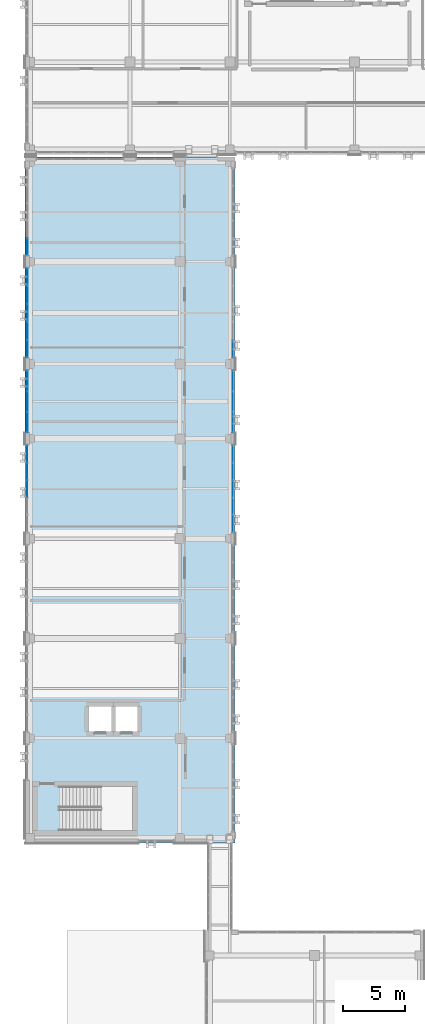
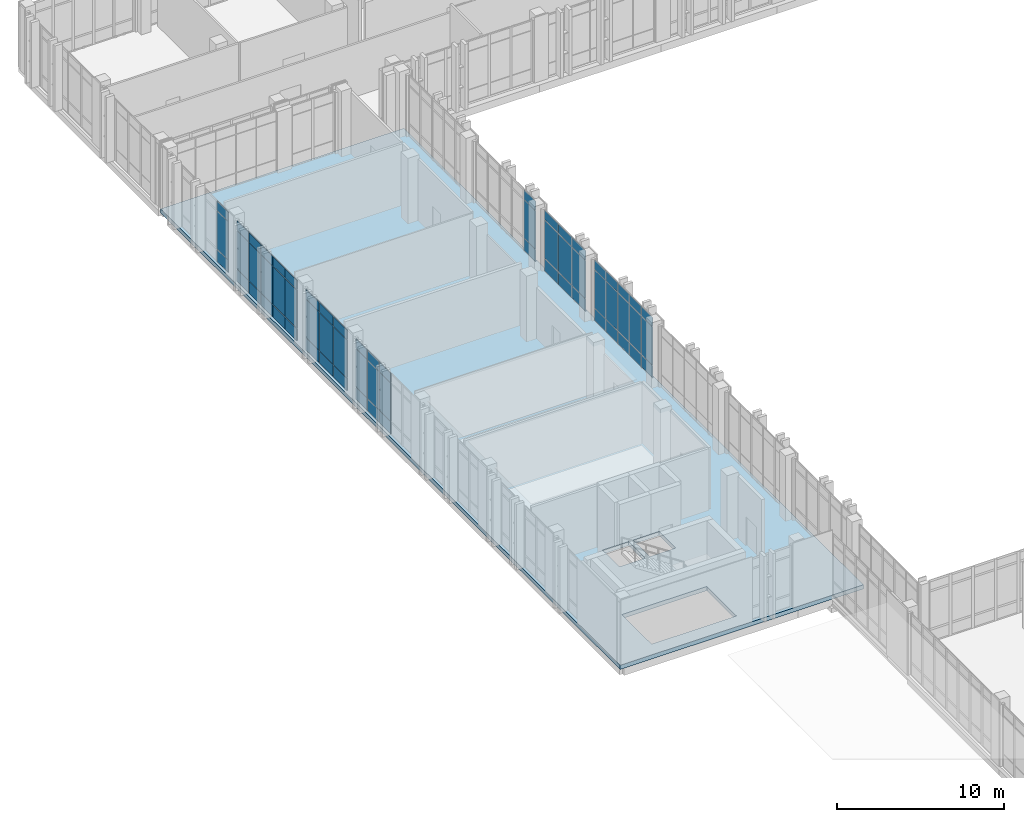
# One storey, part 140 of 189: 63 plates, 1 slab, 7 elements without a shape of their own.
"""IFC4 building model written with IfcOpenShell, lengths in metres."""

import ifcopenshell
import ifcopenshell.guid

model = None  # the IFC model being written
_history = None  # IfcOwnerHistory: only IFC2X3 demands one
_inside = {}  # id of a spatial element -> (the spatial element, [elements in it])
_under = {}  # id of a project, library or spatial element -> (it, [spatial elements below it])
_declared = {}  # id of a project -> (the project, [libraries it declares])
_typed = {}  # id of a type object -> (the type object, [elements of that type])
_made_of = {}  # id of a material, layer set ... -> (it, [elements and type objects made of it])


def new_model(schema):
    """Start an empty IFC model of exactly this schema.

    Asked for "IFC4X3", IfcOpenShell would pick the latest addendum, in which some entities
    have other attributes; the version numbers below select the first issue.
    IFC2X3 requires an IfcOwnerHistory on every rooted entity: one is made here for all.
    """
    global model, _history
    if schema == "IFC4X3":
        model = ifcopenshell.file(schema_version=(4, 3, 0, 0))
    else:
        model = ifcopenshell.file(schema=schema)
    _inside.clear()
    _under.clear()
    _declared.clear()
    _typed.clear()
    _made_of.clear()
    _history = None
    if model.schema == "IFC2X3":
        org = make("IfcOrganization", Name="unknown")
        user = make(
            "IfcPersonAndOrganization",
            ThePerson=make("IfcPerson", FamilyName="unknown"),
            TheOrganization=org,
        )
        app = make(
            "IfcApplication",
            ApplicationDeveloper=org,
            Version="unknown",
            ApplicationFullName="unknown",
            ApplicationIdentifier="unknown",
        )
        _history = make(
            "IfcOwnerHistory",
            OwningUser=user,
            OwningApplication=app,
            ChangeAction="ADDED",
            CreationDate=0,
        )
    return model


def make(cls, **values):
    """One entity of the class cls with the attributes given. An attribute that is None is left unset."""
    return model.create_entity(
        cls, **{name: value for name, value in values.items() if value is not None}
    )


def rooted(cls, **values):
    """An entity with a GlobalId (a new one), such as an element, a storey or a relation."""
    return make(cls, GlobalId=ifcopenshell.guid.new(), OwnerHistory=_history, **values)


def si_unit(unit_type, name, prefix=None):
    """IfcSIUnit, for example si_unit("LENGTHUNIT", "METRE", prefix="MILLI")."""
    return make("IfcSIUnit", UnitType=unit_type, Prefix=prefix, Name=name)


def assignment(units):
    """IfcUnitAssignment: the units of a project."""
    return None if units is None else make("IfcUnitAssignment", Units=units)


def point(xyz):
    """IfcCartesianPoint."""
    return None if xyz is None else make("IfcCartesianPoint", Coordinates=xyz)


def direction(xyz):
    """IfcDirection."""
    return None if xyz is None else make("IfcDirection", DirectionRatios=xyz)


def frame(location, z_axis=None, x_axis=None):
    """IfcAxis2Placement3D, a coordinate frame: its origin and axes. An axis left out is left unset."""
    return make(
        "IfcAxis2Placement3D",
        Location=point(location),
        Axis=direction(z_axis),
        RefDirection=direction(x_axis),
    )


def frame_2d(location, x_axis=None):
    """IfcAxis2Placement2D, a coordinate frame in the plane: its origin and x axis."""
    return make(
        "IfcAxis2Placement2D", Location=point(location), RefDirection=direction(x_axis)
    )


def origin():
    """The frame at (0, 0, 0) with its axes left unset."""
    return frame((0.0, 0.0, 0.0))


def origin_2d():
    """The frame at (0, 0) in the plane with its x axis left unset."""
    return frame_2d((0.0, 0.0))


def place(relative_to, where):
    """IfcLocalPlacement: puts the frame where relative to a parent placement (None: the world)."""
    return make(
        "IfcLocalPlacement", PlacementRelTo=relative_to, RelativePlacement=where
    )


def context(
    kind, dimensions, precision=None, world=None, true_north=None, identifier=None
):
    """IfcGeometricRepresentationContext, for example the 3D "Model" context."""
    return make(
        "IfcGeometricRepresentationContext",
        ContextIdentifier=identifier,
        ContextType=kind,
        CoordinateSpaceDimension=dimensions,
        Precision=precision,
        WorldCoordinateSystem=world,
        TrueNorth=true_north,
    )


def subcontext(parent, identifier, kind, view, scale=None):
    """IfcGeometricRepresentationSubContext, for example "Body" below "Model"."""
    return make(
        "IfcGeometricRepresentationSubContext",
        ContextIdentifier=identifier,
        ContextType=kind,
        ParentContext=parent,
        TargetScale=scale,
        TargetView=view,
    )


def project(units=None, contexts=None):
    """IfcProject with its units and contexts."""
    return rooted(
        "IfcProject",
        Name="project",
        RepresentationContexts=contexts,
        UnitsInContext=assignment(units),
    )


def spatial(cls, under=None, at=None, **own):
    """A site, building, storey or space (cls), placed at a placement, below another one or the project."""
    s = rooted(cls, ObjectPlacement=at, **own)
    if under is not None:
        _under.setdefault(under.id(), (under, []))[1].append(s)
    return s


def polyline(points):
    """IfcPolyline through the points."""
    return make("IfcPolyline", Points=[point(p) for p in points])


def profile(cls, at=None, kind="AREA", **sizes):
    """A parametric profile (cls). Its sizes go by their IFC names, for example OverallWidth=200.0."""
    return make(cls, ProfileType=kind, Position=at, **sizes)


def rectangle(**sizes):
    """IfcRectangleProfileDef."""
    return profile("IfcRectangleProfileDef", **sizes)


def outline(outer, holes=None, kind="AREA"):
    """IfcArbitraryClosedProfileDef: a profile drawn as a closed curve; with holes, ...WithVoids."""
    if holes is None:
        return make("IfcArbitraryClosedProfileDef", ProfileType=kind, OuterCurve=outer)
    return make(
        "IfcArbitraryProfileDefWithVoids",
        ProfileType=kind,
        OuterCurve=outer,
        InnerCurves=holes,
    )


def extrude(swept, where, along, depth):
    """IfcExtrudedAreaSolid: the profile swept, set in the frame where, extruded along a direction by depth."""
    return make(
        "IfcExtrudedAreaSolid",
        SweptArea=swept,
        Position=where,
        ExtrudedDirection=direction(along),
        Depth=depth,
    )


def shape(context_of_items, identifier, shape_type, items):
    """IfcShapeRepresentation: the items that make up one representation, for example the "Body"."""
    return make(
        "IfcShapeRepresentation",
        ContextOfItems=context_of_items,
        RepresentationIdentifier=identifier,
        RepresentationType=shape_type,
        Items=items,
    )


def material(Name=None, Category=None):
    """IfcMaterial."""
    return make("IfcMaterial", Name=Name, Category=Category)


def layer(
    of_material, thickness, ventilated=None, Name=None, Category=None, Priority=None
):
    """IfcMaterialLayer: one layer of a wall or slab, of a material (None: an air gap)."""
    return make(
        "IfcMaterialLayer",
        Material=of_material,
        LayerThickness=thickness,
        IsVentilated=ventilated,
        Name=Name,
        Category=Category,
        Priority=Priority,
    )


def layer_set(layers, Name=None):
    """IfcMaterialLayerSet."""
    return make("IfcMaterialLayerSet", MaterialLayers=layers, LayerSetName=Name)


def made_of(thing, what):
    """Note that an element or type object is made of a material, layer set ...; save() writes the relation."""
    if what is not None:
        _made_of.setdefault(what.id(), (what, []))[1].append(thing)
    return thing


def type_object(cls, material=None, **own):
    """A type object (cls), such as IfcWallType, which elements share."""
    return made_of(rooted(cls, **own), material)


def element(
    cls,
    number,
    at=None,
    inside=None,
    cuts=None,
    type_object=None,
    material=None,
    context=None,
    identifier="Body",
    shape_type=None,
    held_by="IfcProductDefinitionShape",
    body=None,
    shapes=None,
    **own,
):
    """One element of the class cls, such as IfcWall. Its Tag is "e" and its number.

    at: its placement. inside: the storey or other place that contains it. cuts: it is an
    opening in that element (IfcRelVoidsElement). A single representation is given by context,
    identifier, shape_type and body (its items); several are given by shapes. held_by: the class
    of the entity that holds the representations. save() writes the other relations.
    """
    e = rooted(cls, Tag="e%d" % number, ObjectPlacement=at, **own)
    if body is not None:
        shapes = [shape(context, identifier, shape_type, body)]
    if shapes is not None:
        e.Representation = make(held_by, Representations=shapes)
    if inside is not None:
        _inside.setdefault(inside.id(), (inside, []))[1].append(e)
    if cuts is not None:
        rooted(
            "IfcRelVoidsElement", RelatingBuildingElement=cuts, RelatedOpeningElement=e
        )
    if type_object is not None:
        _typed.setdefault(type_object.id(), (type_object, []))[1].append(e)
    return made_of(e, material)


def aggregate(whole, parts):
    """IfcRelAggregates: a whole, such as a stair, and the parts it consists of."""
    return rooted("IfcRelAggregates", RelatingObject=whole, RelatedObjects=parts)


def save(model, path):
    """Write the relations noted so far, then the file.

    IfcRelAggregates (storeys below a building ...), IfcRelContainedInSpatialStructure (elements
    in a storey), IfcRelDefinesByType, IfcRelAssociatesMaterial and IfcRelDeclares: one each for
    every whole, place, type object, material and project.
    """
    for whole, parts in _under.values():
        aggregate(whole, parts)
    for where, things in _inside.values():
        rooted(
            "IfcRelContainedInSpatialStructure",
            RelatedElements=things,
            RelatingStructure=where,
        )
    for kind, things in _typed.values():
        rooted("IfcRelDefinesByType", RelatedObjects=things, RelatingType=kind)
    for what, things in _made_of.values():
        rooted("IfcRelAssociatesMaterial", RelatedObjects=things, RelatingMaterial=what)
    for by, libraries in _declared.values():
        rooted("IfcRelDeclares", RelatingContext=by, RelatedDefinitions=libraries)
    model.write(path)


model = new_model("IFC4")

# Units and contexts
model_context = context("Model", 3, precision=1e-05, world=origin(), true_north=direction((0.0, 1.0)))
body_context = subcontext(model_context, "Body", "Model", "MODEL_VIEW")
ifc_project = project(units=[si_unit("LENGTHUNIT", "METRE"), si_unit("AREAUNIT", "SQUARE_METRE"), si_unit("VOLUMEUNIT", "CUBIC_METRE"), si_unit("PLANEANGLEUNIT", "RADIAN"), si_unit("MASSUNIT", "GRAM", prefix="KILO")], contexts=[model_context])

# Site, building, storey
site_placement = place(None, origin())
site = spatial("IfcSite", under=ifc_project, at=site_placement, CompositionType="ELEMENT")
building_placement = place(site_placement, origin())
building = spatial("IfcBuilding", under=site, at=building_placement, Name="Qalavern Law Courts", CompositionType="ELEMENT")
storey_placement = place(building_placement, frame((0.0, 0.0, 5.39990234375)))
storey = spatial("IfcBuildingStorey", under=building, at=storey_placement, Name="L01", CompositionType="ELEMENT", Elevation=5.39990234375)

# Curtain wall, plates
ifc_material_1 = material(Name="Anodised aluminium and insulated glazing", Category="aluminium")
ifc_layer_1 = layer(ifc_material_1, 0.172119140625)
ifc_layer_set_1 = layer_set([ifc_layer_1], Name="Anodised aluminium and insulated glazing")
curtain_wall_type = type_object("IfcCurtainWallType", Name="ENV-CW-COURT", PredefinedType="USERDEFINED", material=ifc_layer_set_1)
curtain_wall_1_placement = place(storey_placement, origin())
curtain_wall_1 = element("IfcCurtainWall", 1, at=curtain_wall_1_placement, inside=storey, type_object=curtain_wall_type, Name="V3 unitised curtain wall L01 east 4", ObjectType="UNITISED CURTAIN WALL", PredefinedType="USERDEFINED")
ifc_material_2 = material(Name="Insulated low-E acoustic glazing", Category="glass")
ifc_layer_2 = layer(ifc_material_2, 0.02392578125)
ifc_layer_set_2 = layer_set([ifc_layer_2], Name="Insulated low-E acoustic glazing")
plate_type_1 = type_object("IfcPlateType", Name="ENV-CWP-24", PredefinedType="CURTAIN_PANEL", material=ifc_layer_set_2)
plate_1_placement = place(storey_placement, frame((18.637451171875, 66.612060546875, 0.048095703125), z_axis=(0.0, 0.0, 1.0), x_axis=(0.0, 1.0, 0.0)))
plate_1 = element("IfcPlate", 2, at=plate_1_placement, type_object=plate_type_1, Name="CW-03 panel 1.1", PredefinedType="CURTAIN_PANEL", context=body_context, shape_type="SweptSolid", body=[
    extrude(rectangle(XDim=1.327880859375, YDim=0.02392578125, at=origin_2d()), origin(), (0.0, 0.0, 1.0), 0.8779296875),
])
plate_2_placement = place(storey_placement, frame((18.637451171875, 66.612060546875, 0.97412109375), z_axis=(0.0, 0.0, 1.0), x_axis=(0.0, 1.0, 0.0)))
plate_2 = element("IfcPlate", 3, at=plate_2_placement, type_object=plate_type_1, Name="CW-03 panel 1.2", PredefinedType="CURTAIN_PANEL", context=body_context, shape_type="SweptSolid", body=[
    extrude(rectangle(XDim=1.327880859375, YDim=0.02392578125, at=origin_2d()), origin(), (0.0, 0.0, 1.0), 2.761962890625),
])
plate_3_placement = place(storey_placement, frame((18.637451171875, 66.612060546875, 3.7841796875), z_axis=(0.0, 0.0, 1.0), x_axis=(0.0, 1.0, 0.0)))
plate_3 = element("IfcPlate", 4, at=plate_3_placement, type_object=plate_type_1, Name="CW-03 panel 1.3", PredefinedType="CURTAIN_PANEL", context=body_context, shape_type="SweptSolid", body=[
    extrude(rectangle(XDim=1.327880859375, YDim=0.02392578125, at=origin_2d()), origin(), (0.0, 0.0, 1.0), 0.677978515625),
])
plate_4_placement = place(storey_placement, frame((18.637451171875, 68.0, 0.048095703125), z_axis=(0.0, 0.0, 1.0), x_axis=(0.0, 1.0, 0.0)))
plate_4 = element("IfcPlate", 5, at=plate_4_placement, type_object=plate_type_1, Name="CW-03 panel 2.1", PredefinedType="CURTAIN_PANEL", context=body_context, shape_type="SweptSolid", body=[
    extrude(rectangle(XDim=1.35205078125, YDim=0.02392578125, at=origin_2d()), origin(), (0.0, 0.0, 1.0), 0.8779296875),
])
plate_5_placement = place(storey_placement, frame((18.637451171875, 68.0, 0.97412109375), z_axis=(0.0, 0.0, 1.0), x_axis=(0.0, 1.0, 0.0)))
plate_5 = element("IfcPlate", 6, at=plate_5_placement, type_object=plate_type_1, Name="CW-03 panel 2.2", PredefinedType="CURTAIN_PANEL", context=body_context, shape_type="SweptSolid", body=[
    extrude(rectangle(XDim=1.35205078125, YDim=0.02392578125, at=origin_2d()), origin(), (0.0, 0.0, 1.0), 2.761962890625),
])
plate_6_placement = place(storey_placement, frame((18.637451171875, 68.0, 3.7841796875), z_axis=(0.0, 0.0, 1.0), x_axis=(0.0, 1.0, 0.0)))
plate_6 = element("IfcPlate", 7, at=plate_6_placement, type_object=plate_type_1, Name="CW-03 panel 2.3", PredefinedType="CURTAIN_PANEL", context=body_context, shape_type="SweptSolid", body=[
    extrude(rectangle(XDim=1.35205078125, YDim=0.02392578125, at=origin_2d()), origin(), (0.0, 0.0, 1.0), 0.677978515625),
])
plate_7_placement = place(storey_placement, frame((18.637451171875, 69.39990234375, 0.048095703125), z_axis=(0.0, 0.0, 1.0), x_axis=(0.0, 1.0, 0.0)))
plate_7 = element("IfcPlate", 8, at=plate_7_placement, type_object=plate_type_1, Name="CW-03 panel 3.1", PredefinedType="CURTAIN_PANEL", context=body_context, shape_type="SweptSolid", body=[
    extrude(rectangle(XDim=1.35205078125, YDim=0.02392578125, at=origin_2d()), origin(), (0.0, 0.0, 1.0), 0.8779296875),
])
plate_8_placement = place(storey_placement, frame((18.637451171875, 69.39990234375, 0.97412109375), z_axis=(0.0, 0.0, 1.0), x_axis=(0.0, 1.0, 0.0)))
plate_8 = element("IfcPlate", 9, at=plate_8_placement, type_object=plate_type_1, Name="CW-03 panel 3.2", PredefinedType="CURTAIN_PANEL", context=body_context, shape_type="SweptSolid", body=[
    extrude(rectangle(XDim=1.35205078125, YDim=0.02392578125, at=origin_2d()), origin(), (0.0, 0.0, 1.0), 2.761962890625),
])
plate_9_placement = place(storey_placement, frame((18.637451171875, 69.39990234375, 3.7841796875), z_axis=(0.0, 0.0, 1.0), x_axis=(0.0, 1.0, 0.0)))
plate_9 = element("IfcPlate", 10, at=plate_9_placement, type_object=plate_type_1, Name="CW-03 panel 3.3", PredefinedType="CURTAIN_PANEL", context=body_context, shape_type="SweptSolid", body=[
    extrude(rectangle(XDim=1.35205078125, YDim=0.02392578125, at=origin_2d()), origin(), (0.0, 0.0, 1.0), 0.677978515625),
])
plate_10_placement = place(storey_placement, frame((18.637451171875, 70.800048828125, 0.048095703125), z_axis=(0.0, 0.0, 1.0), x_axis=(0.0, 1.0, 0.0)))
plate_10 = element("IfcPlate", 11, at=plate_10_placement, type_object=plate_type_1, Name="CW-03 panel 4.1", PredefinedType="CURTAIN_PANEL", context=body_context, shape_type="SweptSolid", body=[
    extrude(rectangle(XDim=1.35205078125, YDim=0.02392578125, at=origin_2d()), origin(), (0.0, 0.0, 1.0), 0.8779296875),
])
plate_11_placement = place(storey_placement, frame((18.637451171875, 70.800048828125, 0.97412109375), z_axis=(0.0, 0.0, 1.0), x_axis=(0.0, 1.0, 0.0)))
plate_11 = element("IfcPlate", 12, at=plate_11_placement, type_object=plate_type_1, Name="CW-03 panel 4.2", PredefinedType="CURTAIN_PANEL", context=body_context, shape_type="SweptSolid", body=[
    extrude(rectangle(XDim=1.35205078125, YDim=0.02392578125, at=origin_2d()), origin(), (0.0, 0.0, 1.0), 2.761962890625),
])
plate_12_placement = place(storey_placement, frame((18.637451171875, 70.800048828125, 3.7841796875), z_axis=(0.0, 0.0, 1.0), x_axis=(0.0, 1.0, 0.0)))
plate_12 = element("IfcPlate", 13, at=plate_12_placement, type_object=plate_type_1, Name="CW-03 panel 4.3", PredefinedType="CURTAIN_PANEL", context=body_context, shape_type="SweptSolid", body=[
    extrude(rectangle(XDim=1.35205078125, YDim=0.02392578125, at=origin_2d()), origin(), (0.0, 0.0, 1.0), 0.677978515625),
])
plate_13_placement = place(storey_placement, frame((18.637451171875, 72.18798828125, 0.048095703125), z_axis=(0.0, 0.0, 1.0), x_axis=(0.0, 1.0, 0.0)))
plate_13 = element("IfcPlate", 14, at=plate_13_placement, type_object=plate_type_1, Name="CW-03 panel 5.1", PredefinedType="CURTAIN_PANEL", context=body_context, shape_type="SweptSolid", body=[
    extrude(rectangle(XDim=1.327880859375, YDim=0.02392578125, at=origin_2d()), origin(), (0.0, 0.0, 1.0), 0.8779296875),
])
plate_14_placement = place(storey_placement, frame((18.637451171875, 72.18798828125, 0.97412109375), z_axis=(0.0, 0.0, 1.0), x_axis=(0.0, 1.0, 0.0)))
plate_14 = element("IfcPlate", 15, at=plate_14_placement, type_object=plate_type_1, Name="CW-03 panel 5.2", PredefinedType="CURTAIN_PANEL", context=body_context, shape_type="SweptSolid", body=[
    extrude(rectangle(XDim=1.327880859375, YDim=0.02392578125, at=origin_2d()), origin(), (0.0, 0.0, 1.0), 2.761962890625),
])
plate_15_placement = place(storey_placement, frame((18.637451171875, 72.18798828125, 3.7841796875), z_axis=(0.0, 0.0, 1.0), x_axis=(0.0, 1.0, 0.0)))
plate_15 = element("IfcPlate", 16, at=plate_15_placement, type_object=plate_type_1, Name="CW-03 panel 5.3", PredefinedType="CURTAIN_PANEL", context=body_context, shape_type="SweptSolid", body=[
    extrude(rectangle(XDim=1.327880859375, YDim=0.02392578125, at=origin_2d()), origin(), (0.0, 0.0, 1.0), 0.677978515625),
])
aggregate(curtain_wall_1, [plate_1, plate_2, plate_3, plate_4, plate_5, plate_6, plate_7, plate_8, plate_9, plate_10, plate_11, plate_12, plate_13, plate_14, plate_15])

curtain_wall_2_placement = place(storey_placement, origin())
curtain_wall_2 = element("IfcCurtainWall", 17, at=curtain_wall_2_placement, inside=storey, type_object=curtain_wall_type, Name="V3 unitised curtain wall L01 west 4", ObjectType="UNITISED CURTAIN WALL", PredefinedType="USERDEFINED")
plate_16_placement = place(storey_placement, frame((2.16259765625, 72.18798828125, 0.048095703125), z_axis=(0.0, 0.0, 1.0), x_axis=(0.0, -1.0, 0.0)))
plate_16 = element("IfcPlate", 18, at=plate_16_placement, type_object=plate_type_1, Name="CW-03 panel 1.1", PredefinedType="CURTAIN_PANEL", context=body_context, shape_type="SweptSolid", body=[
    extrude(rectangle(XDim=1.327880859375, YDim=0.02392578125, at=origin_2d()), origin(), (0.0, 0.0, 1.0), 0.8779296875),
])
plate_17_placement = place(storey_placement, frame((2.16259765625, 72.18798828125, 0.97412109375), z_axis=(0.0, 0.0, 1.0), x_axis=(0.0, -1.0, 0.0)))
plate_17 = element("IfcPlate", 19, at=plate_17_placement, type_object=plate_type_1, Name="CW-03 panel 1.2", PredefinedType="CURTAIN_PANEL", context=body_context, shape_type="SweptSolid", body=[
    extrude(rectangle(XDim=1.327880859375, YDim=0.02392578125, at=origin_2d()), origin(), (0.0, 0.0, 1.0), 2.761962890625),
])
plate_18_placement = place(storey_placement, frame((2.16259765625, 72.18798828125, 3.7841796875), z_axis=(0.0, 0.0, 1.0), x_axis=(0.0, -1.0, 0.0)))
plate_18 = element("IfcPlate", 20, at=plate_18_placement, type_object=plate_type_1, Name="CW-03 panel 1.3", PredefinedType="CURTAIN_PANEL", context=body_context, shape_type="SweptSolid", body=[
    extrude(rectangle(XDim=1.327880859375, YDim=0.02392578125, at=origin_2d()), origin(), (0.0, 0.0, 1.0), 0.677978515625),
])
plate_19_placement = place(storey_placement, frame((2.16259765625, 70.800048828125, 0.048095703125), z_axis=(0.0, 0.0, 1.0), x_axis=(0.0, -1.0, 0.0)))
plate_19 = element("IfcPlate", 21, at=plate_19_placement, type_object=plate_type_1, Name="CW-03 panel 2.1", PredefinedType="CURTAIN_PANEL", context=body_context, shape_type="SweptSolid", body=[
    extrude(rectangle(XDim=1.35205078125, YDim=0.02392578125, at=origin_2d()), origin(), (0.0, 0.0, 1.0), 0.8779296875),
])
plate_20_placement = place(storey_placement, frame((2.16259765625, 70.800048828125, 0.97412109375), z_axis=(0.0, 0.0, 1.0), x_axis=(0.0, -1.0, 0.0)))
plate_20 = element("IfcPlate", 22, at=plate_20_placement, type_object=plate_type_1, Name="CW-03 panel 2.2", PredefinedType="CURTAIN_PANEL", context=body_context, shape_type="SweptSolid", body=[
    extrude(rectangle(XDim=1.35205078125, YDim=0.02392578125, at=origin_2d()), origin(), (0.0, 0.0, 1.0), 2.761962890625),
])
plate_21_placement = place(storey_placement, frame((2.16259765625, 70.800048828125, 3.7841796875), z_axis=(0.0, 0.0, 1.0), x_axis=(0.0, -1.0, 0.0)))
plate_21 = element("IfcPlate", 23, at=plate_21_placement, type_object=plate_type_1, Name="CW-03 panel 2.3", PredefinedType="CURTAIN_PANEL", context=body_context, shape_type="SweptSolid", body=[
    extrude(rectangle(XDim=1.35205078125, YDim=0.02392578125, at=origin_2d()), origin(), (0.0, 0.0, 1.0), 0.677978515625),
])
plate_22_placement = place(storey_placement, frame((2.16259765625, 69.39990234375, 0.048095703125), z_axis=(0.0, 0.0, 1.0), x_axis=(0.0, -1.0, 0.0)))
plate_22 = element("IfcPlate", 24, at=plate_22_placement, type_object=plate_type_1, Name="CW-03 panel 3.1", PredefinedType="CURTAIN_PANEL", context=body_context, shape_type="SweptSolid", body=[
    extrude(rectangle(XDim=1.35205078125, YDim=0.02392578125, at=origin_2d()), origin(), (0.0, 0.0, 1.0), 0.8779296875),
])
plate_23_placement = place(storey_placement, frame((2.16259765625, 69.39990234375, 0.97412109375), z_axis=(0.0, 0.0, 1.0), x_axis=(0.0, -1.0, 0.0)))
plate_23 = element("IfcPlate", 25, at=plate_23_placement, type_object=plate_type_1, Name="CW-03 panel 3.2", PredefinedType="CURTAIN_PANEL", context=body_context, shape_type="SweptSolid", body=[
    extrude(rectangle(XDim=1.35205078125, YDim=0.02392578125, at=origin_2d()), origin(), (0.0, 0.0, 1.0), 2.761962890625),
])
plate_24_placement = place(storey_placement, frame((2.16259765625, 69.39990234375, 3.7841796875), z_axis=(0.0, 0.0, 1.0), x_axis=(0.0, -1.0, 0.0)))
plate_24 = element("IfcPlate", 26, at=plate_24_placement, type_object=plate_type_1, Name="CW-03 panel 3.3", PredefinedType="CURTAIN_PANEL", context=body_context, shape_type="SweptSolid", body=[
    extrude(rectangle(XDim=1.35205078125, YDim=0.02392578125, at=origin_2d()), origin(), (0.0, 0.0, 1.0), 0.677978515625),
])
aggregate(curtain_wall_2, [plate_16, plate_17, plate_18, plate_19, plate_20, plate_21, plate_22, plate_23, plate_24])

curtain_wall_3_placement = place(storey_placement, origin())
curtain_wall_3 = element("IfcCurtainWall", 27, at=curtain_wall_3_placement, inside=storey, type_object=curtain_wall_type, Name="V3 unitised curtain wall L01 east 5", ObjectType="UNITISED CURTAIN WALL", PredefinedType="USERDEFINED")
ifc_layer_3 = layer(ifc_material_2, 0.028076171875)
ifc_layer_set_3 = layer_set([ifc_layer_3], Name="Insulated low-E acoustic glazing")
plate_type_2 = type_object("IfcPlateType", Name="ENV-CWP-28", PredefinedType="CURTAIN_PANEL", material=ifc_layer_set_3)
plate_25_placement = place(storey_placement, frame((18.637451171875, 74.745361328125, 0.048095703125), z_axis=(0.0, 0.0, 1.0), x_axis=(0.0, 1.0, 0.0)))
plate_25 = element("IfcPlate", 28, at=plate_25_placement, type_object=plate_type_2, Name="CW-03 panel 1.1", PredefinedType="CURTAIN_PANEL", context=body_context, shape_type="SweptSolid", body=[
    extrude(rectangle(XDim=1.5947265625, YDim=0.028076171875, at=origin_2d()), origin(), (0.0, 0.0, 1.0), 0.8779296875),
])
plate_26_placement = place(storey_placement, frame((18.637451171875, 74.745361328125, 0.97412109375), z_axis=(0.0, 0.0, 1.0), x_axis=(0.0, 1.0, 0.0)))
plate_26 = element("IfcPlate", 29, at=plate_26_placement, type_object=plate_type_2, Name="CW-03 panel 1.2", PredefinedType="CURTAIN_PANEL", context=body_context, shape_type="SweptSolid", body=[
    extrude(rectangle(XDim=1.5947265625, YDim=0.028076171875, at=origin_2d()), origin(), (0.0, 0.0, 1.0), 2.761962890625),
])
plate_27_placement = place(storey_placement, frame((18.637451171875, 74.745361328125, 3.7841796875), z_axis=(0.0, 0.0, 1.0), x_axis=(0.0, 1.0, 0.0)))
plate_27 = element("IfcPlate", 30, at=plate_27_placement, type_object=plate_type_2, Name="CW-03 panel 1.3", PredefinedType="CURTAIN_PANEL", context=body_context, shape_type="SweptSolid", body=[
    extrude(rectangle(XDim=1.5947265625, YDim=0.028076171875, at=origin_2d()), origin(), (0.0, 0.0, 1.0), 0.677978515625),
])
plate_28_placement = place(storey_placement, frame((18.637451171875, 76.39990234375, 0.048095703125), z_axis=(0.0, 0.0, 1.0), x_axis=(0.0, 1.0, 0.0)))
plate_28 = element("IfcPlate", 31, at=plate_28_placement, type_object=plate_type_2, Name="CW-03 panel 2.1", PredefinedType="CURTAIN_PANEL", context=body_context, shape_type="SweptSolid", body=[
    extrude(rectangle(XDim=1.61865234375, YDim=0.028076171875, at=origin_2d()), origin(), (0.0, 0.0, 1.0), 0.8779296875),
])
plate_29_placement = place(storey_placement, frame((18.637451171875, 76.39990234375, 0.97412109375), z_axis=(0.0, 0.0, 1.0), x_axis=(0.0, 1.0, 0.0)))
plate_29 = element("IfcPlate", 32, at=plate_29_placement, type_object=plate_type_2, Name="CW-03 panel 2.2", PredefinedType="CURTAIN_PANEL", context=body_context, shape_type="SweptSolid", body=[
    extrude(rectangle(XDim=1.61865234375, YDim=0.028076171875, at=origin_2d()), origin(), (0.0, 0.0, 1.0), 2.761962890625),
])
plate_30_placement = place(storey_placement, frame((18.637451171875, 76.39990234375, 3.7841796875), z_axis=(0.0, 0.0, 1.0), x_axis=(0.0, 1.0, 0.0)))
plate_30 = element("IfcPlate", 33, at=plate_30_placement, type_object=plate_type_2, Name="CW-03 panel 2.3", PredefinedType="CURTAIN_PANEL", context=body_context, shape_type="SweptSolid", body=[
    extrude(rectangle(XDim=1.61865234375, YDim=0.028076171875, at=origin_2d()), origin(), (0.0, 0.0, 1.0), 0.677978515625),
])
plate_31_placement = place(storey_placement, frame((18.637451171875, 78.0546875, 0.048095703125), z_axis=(0.0, 0.0, 1.0), x_axis=(0.0, 1.0, 0.0)))
plate_31 = element("IfcPlate", 34, at=plate_31_placement, type_object=plate_type_2, Name="CW-03 panel 3.1", PredefinedType="CURTAIN_PANEL", context=body_context, shape_type="SweptSolid", body=[
    extrude(rectangle(XDim=1.5947265625, YDim=0.028076171875, at=origin_2d()), origin(), (0.0, 0.0, 1.0), 0.8779296875),
])
plate_32_placement = place(storey_placement, frame((18.637451171875, 78.0546875, 0.97412109375), z_axis=(0.0, 0.0, 1.0), x_axis=(0.0, 1.0, 0.0)))
plate_32 = element("IfcPlate", 35, at=plate_32_placement, type_object=plate_type_2, Name="CW-03 panel 3.2", PredefinedType="CURTAIN_PANEL", context=body_context, shape_type="SweptSolid", body=[
    extrude(rectangle(XDim=1.5947265625, YDim=0.028076171875, at=origin_2d()), origin(), (0.0, 0.0, 1.0), 2.761962890625),
])
plate_33_placement = place(storey_placement, frame((18.637451171875, 78.0546875, 3.7841796875), z_axis=(0.0, 0.0, 1.0), x_axis=(0.0, 1.0, 0.0)))
plate_33 = element("IfcPlate", 36, at=plate_33_placement, type_object=plate_type_2, Name="CW-03 panel 3.3", PredefinedType="CURTAIN_PANEL", context=body_context, shape_type="SweptSolid", body=[
    extrude(rectangle(XDim=1.5947265625, YDim=0.028076171875, at=origin_2d()), origin(), (0.0, 0.0, 1.0), 0.677978515625),
])
aggregate(curtain_wall_3, [plate_25, plate_26, plate_27, plate_28, plate_29, plate_30, plate_31, plate_32, plate_33])

curtain_wall_4_placement = place(storey_placement, origin())
curtain_wall_4 = element("IfcCurtainWall", 37, at=curtain_wall_4_placement, inside=storey, type_object=curtain_wall_type, Name="V3 unitised curtain wall L01 east 6", ObjectType="UNITISED CURTAIN WALL", PredefinedType="USERDEFINED")
ifc_layer_4 = layer(ifc_material_2, 0.031982421875)
ifc_layer_set_4 = layer_set([ifc_layer_4], Name="Insulated low-E acoustic glazing")
plate_type_3 = type_object("IfcPlateType", Name="ENV-CWP-32", PredefinedType="CURTAIN_PANEL", material=ifc_layer_set_4)
plate_34_placement = place(storey_placement, frame((18.637451171875, 80.632080078125, 0.048095703125), z_axis=(0.0, 0.0, 1.0), x_axis=(0.0, 1.0, 0.0)))
plate_34 = element("IfcPlate", 38, at=plate_34_placement, type_object=plate_type_3, Name="CW-03 panel 1.1", PredefinedType="CURTAIN_PANEL", context=body_context, shape_type="SweptSolid", body=[
    extrude(rectangle(XDim=1.367919921875, YDim=0.031982421875, at=origin_2d()), origin(), (0.0, 0.0, 1.0), 0.8779296875),
])
plate_35_placement = place(storey_placement, frame((18.637451171875, 80.632080078125, 0.97412109375), z_axis=(0.0, 0.0, 1.0), x_axis=(0.0, 1.0, 0.0)))
plate_35 = element("IfcPlate", 39, at=plate_35_placement, type_object=plate_type_3, Name="CW-03 panel 1.2", PredefinedType="CURTAIN_PANEL", context=body_context, shape_type="SweptSolid", body=[
    extrude(rectangle(XDim=1.367919921875, YDim=0.031982421875, at=origin_2d()), origin(), (0.0, 0.0, 1.0), 2.761962890625),
])
plate_36_placement = place(storey_placement, frame((18.637451171875, 80.632080078125, 3.7841796875), z_axis=(0.0, 0.0, 1.0), x_axis=(0.0, 1.0, 0.0)))
plate_36 = element("IfcPlate", 40, at=plate_36_placement, type_object=plate_type_3, Name="CW-03 panel 1.3", PredefinedType="CURTAIN_PANEL", context=body_context, shape_type="SweptSolid", body=[
    extrude(rectangle(XDim=1.367919921875, YDim=0.031982421875, at=origin_2d()), origin(), (0.0, 0.0, 1.0), 0.677978515625),
])
aggregate(curtain_wall_4, [plate_34, plate_35, plate_36])

curtain_wall_5_placement = place(storey_placement, origin())
curtain_wall_5 = element("IfcCurtainWall", 41, at=curtain_wall_5_placement, inside=storey, type_object=curtain_wall_type, Name="V3 unitised curtain wall L01 west 1", ObjectType="UNITISED CURTAIN WALL", PredefinedType="USERDEFINED")
ifc_layer_5 = layer(ifc_material_2, 0.0439453125)
ifc_layer_set_5 = layer_set([ifc_layer_5], Name="Insulated low-E acoustic glazing")
plate_type_4 = type_object("IfcPlateType", Name="ENV-CWP-44", PredefinedType="CURTAIN_PANEL", material=ifc_layer_set_5)
plate_37_placement = place(storey_placement, frame((2.16259765625, 88.81005859375, 0.048095703125), z_axis=(0.0, 0.0, 1.0), x_axis=(0.0, -1.0, 0.0)))
plate_37 = element("IfcPlate", 42, at=plate_37_placement, type_object=plate_type_4, Name="CW-03 panel 5.1", PredefinedType="CURTAIN_PANEL", context=body_context, shape_type="SweptSolid", body=[
    extrude(rectangle(XDim=1.323974609375, YDim=0.0439453125, at=origin_2d()), origin(), (0.0, 0.0, 1.0), 0.8779296875),
])
plate_38_placement = place(storey_placement, frame((2.16259765625, 88.81005859375, 0.97412109375), z_axis=(0.0, 0.0, 1.0), x_axis=(0.0, -1.0, 0.0)))
plate_38 = element("IfcPlate", 43, at=plate_38_placement, type_object=plate_type_4, Name="CW-03 panel 5.2", PredefinedType="CURTAIN_PANEL", context=body_context, shape_type="SweptSolid", body=[
    extrude(rectangle(XDim=1.323974609375, YDim=0.0439453125, at=origin_2d()), origin(), (0.0, 0.0, 1.0), 2.761962890625),
])
plate_39_placement = place(storey_placement, frame((2.16259765625, 88.81005859375, 3.7841796875), z_axis=(0.0, 0.0, 1.0), x_axis=(0.0, -1.0, 0.0)))
plate_39 = element("IfcPlate", 44, at=plate_39_placement, type_object=plate_type_4, Name="CW-03 panel 5.3", PredefinedType="CURTAIN_PANEL", context=body_context, shape_type="SweptSolid", body=[
    extrude(rectangle(XDim=1.323974609375, YDim=0.0439453125, at=origin_2d()), origin(), (0.0, 0.0, 1.0), 0.677978515625),
])
aggregate(curtain_wall_5, [plate_37, plate_38, plate_39])

curtain_wall_6_placement = place(storey_placement, origin())
curtain_wall_6 = element("IfcCurtainWall", 45, at=curtain_wall_6_placement, inside=storey, type_object=curtain_wall_type, Name="V3 unitised curtain wall L01 west 2", ObjectType="UNITISED CURTAIN WALL", PredefinedType="USERDEFINED")
ifc_layer_6 = layer(ifc_material_2, 0.048095703125)
ifc_layer_set_6 = layer_set([ifc_layer_6], Name="Insulated low-E acoustic glazing")
plate_type_5 = type_object("IfcPlateType", Name="ENV-CWP-48", PredefinedType="CURTAIN_PANEL", material=ifc_layer_set_6)
plate_40_placement = place(storey_placement, frame((2.16259765625, 86.367919921875, 0.048095703125), z_axis=(0.0, 0.0, 1.0), x_axis=(0.0, -1.0, 0.0)))
plate_40 = element("IfcPlate", 46, at=plate_40_placement, type_object=plate_type_5, Name="CW-03 panel 1.1", PredefinedType="CURTAIN_PANEL", context=body_context, shape_type="SweptSolid", body=[
    extrude(rectangle(XDim=1.367919921875, YDim=0.048095703125, at=origin_2d()), origin(), (0.0, 0.0, 1.0), 0.8779296875),
])
plate_41_placement = place(storey_placement, frame((2.16259765625, 86.367919921875, 0.97412109375), z_axis=(0.0, 0.0, 1.0), x_axis=(0.0, -1.0, 0.0)))
plate_41 = element("IfcPlate", 47, at=plate_41_placement, type_object=plate_type_5, Name="CW-03 panel 1.2", PredefinedType="CURTAIN_PANEL", context=body_context, shape_type="SweptSolid", body=[
    extrude(rectangle(XDim=1.367919921875, YDim=0.048095703125, at=origin_2d()), origin(), (0.0, 0.0, 1.0), 2.761962890625),
])
plate_42_placement = place(storey_placement, frame((2.16259765625, 86.367919921875, 3.7841796875), z_axis=(0.0, 0.0, 1.0), x_axis=(0.0, -1.0, 0.0)))
plate_42 = element("IfcPlate", 48, at=plate_42_placement, type_object=plate_type_5, Name="CW-03 panel 1.3", PredefinedType="CURTAIN_PANEL", context=body_context, shape_type="SweptSolid", body=[
    extrude(rectangle(XDim=1.367919921875, YDim=0.048095703125, at=origin_2d()), origin(), (0.0, 0.0, 1.0), 0.677978515625),
])
plate_43_placement = place(storey_placement, frame((2.16259765625, 84.93994140625, 0.048095703125), z_axis=(0.0, 0.0, 1.0), x_axis=(0.0, -1.0, 0.0)))
plate_43 = element("IfcPlate", 49, at=plate_43_placement, type_object=plate_type_5, Name="CW-03 panel 2.1", PredefinedType="CURTAIN_PANEL", context=body_context, shape_type="SweptSolid", body=[
    extrude(rectangle(XDim=1.39208984375, YDim=0.048095703125, at=origin_2d()), origin(), (0.0, 0.0, 1.0), 0.8779296875),
])
plate_44_placement = place(storey_placement, frame((2.16259765625, 84.93994140625, 0.97412109375), z_axis=(0.0, 0.0, 1.0), x_axis=(0.0, -1.0, 0.0)))
plate_44 = element("IfcPlate", 50, at=plate_44_placement, type_object=plate_type_5, Name="CW-03 panel 2.2", PredefinedType="CURTAIN_PANEL", context=body_context, shape_type="SweptSolid", body=[
    extrude(rectangle(XDim=1.39208984375, YDim=0.048095703125, at=origin_2d()), origin(), (0.0, 0.0, 1.0), 2.761962890625),
])
plate_45_placement = place(storey_placement, frame((2.16259765625, 84.93994140625, 3.7841796875), z_axis=(0.0, 0.0, 1.0), x_axis=(0.0, -1.0, 0.0)))
plate_45 = element("IfcPlate", 51, at=plate_45_placement, type_object=plate_type_5, Name="CW-03 panel 2.3", PredefinedType="CURTAIN_PANEL", context=body_context, shape_type="SweptSolid", body=[
    extrude(rectangle(XDim=1.39208984375, YDim=0.048095703125, at=origin_2d()), origin(), (0.0, 0.0, 1.0), 0.677978515625),
])
plate_46_placement = place(storey_placement, frame((2.16259765625, 83.5, 0.048095703125), z_axis=(0.0, 0.0, 1.0), x_axis=(0.0, -1.0, 0.0)))
plate_46 = element("IfcPlate", 52, at=plate_46_placement, type_object=plate_type_5, Name="CW-03 panel 3.1", PredefinedType="CURTAIN_PANEL", context=body_context, shape_type="SweptSolid", body=[
    extrude(rectangle(XDim=1.39208984375, YDim=0.048095703125, at=origin_2d()), origin(), (0.0, 0.0, 1.0), 0.8779296875),
])
plate_47_placement = place(storey_placement, frame((2.16259765625, 83.5, 0.97412109375), z_axis=(0.0, 0.0, 1.0), x_axis=(0.0, -1.0, 0.0)))
plate_47 = element("IfcPlate", 53, at=plate_47_placement, type_object=plate_type_5, Name="CW-03 panel 3.2", PredefinedType="CURTAIN_PANEL", context=body_context, shape_type="SweptSolid", body=[
    extrude(rectangle(XDim=1.39208984375, YDim=0.048095703125, at=origin_2d()), origin(), (0.0, 0.0, 1.0), 2.761962890625),
])
plate_48_placement = place(storey_placement, frame((2.16259765625, 83.5, 3.7841796875), z_axis=(0.0, 0.0, 1.0), x_axis=(0.0, -1.0, 0.0)))
plate_48 = element("IfcPlate", 54, at=plate_48_placement, type_object=plate_type_5, Name="CW-03 panel 3.3", PredefinedType="CURTAIN_PANEL", context=body_context, shape_type="SweptSolid", body=[
    extrude(rectangle(XDim=1.39208984375, YDim=0.048095703125, at=origin_2d()), origin(), (0.0, 0.0, 1.0), 0.677978515625),
])
plate_49_placement = place(storey_placement, frame((2.16259765625, 82.06005859375, 0.048095703125), z_axis=(0.0, 0.0, 1.0), x_axis=(0.0, -1.0, 0.0)))
plate_49 = element("IfcPlate", 55, at=plate_49_placement, type_object=plate_type_5, Name="CW-03 panel 4.1", PredefinedType="CURTAIN_PANEL", context=body_context, shape_type="SweptSolid", body=[
    extrude(rectangle(XDim=1.39208984375, YDim=0.048095703125, at=origin_2d()), origin(), (0.0, 0.0, 1.0), 0.8779296875),
])
plate_50_placement = place(storey_placement, frame((2.16259765625, 82.06005859375, 0.97412109375), z_axis=(0.0, 0.0, 1.0), x_axis=(0.0, -1.0, 0.0)))
plate_50 = element("IfcPlate", 56, at=plate_50_placement, type_object=plate_type_5, Name="CW-03 panel 4.2", PredefinedType="CURTAIN_PANEL", context=body_context, shape_type="SweptSolid", body=[
    extrude(rectangle(XDim=1.39208984375, YDim=0.048095703125, at=origin_2d()), origin(), (0.0, 0.0, 1.0), 2.761962890625),
])
plate_51_placement = place(storey_placement, frame((2.16259765625, 82.06005859375, 3.7841796875), z_axis=(0.0, 0.0, 1.0), x_axis=(0.0, -1.0, 0.0)))
plate_51 = element("IfcPlate", 57, at=plate_51_placement, type_object=plate_type_5, Name="CW-03 panel 4.3", PredefinedType="CURTAIN_PANEL", context=body_context, shape_type="SweptSolid", body=[
    extrude(rectangle(XDim=1.39208984375, YDim=0.048095703125, at=origin_2d()), origin(), (0.0, 0.0, 1.0), 0.677978515625),
])
plate_52_placement = place(storey_placement, frame((2.16259765625, 80.632080078125, 0.048095703125), z_axis=(0.0, 0.0, 1.0), x_axis=(0.0, -1.0, 0.0)))
plate_52 = element("IfcPlate", 58, at=plate_52_placement, type_object=plate_type_5, Name="CW-03 panel 5.1", PredefinedType="CURTAIN_PANEL", context=body_context, shape_type="SweptSolid", body=[
    extrude(rectangle(XDim=1.367919921875, YDim=0.048095703125, at=origin_2d()), origin(), (0.0, 0.0, 1.0), 0.8779296875),
])
plate_53_placement = place(storey_placement, frame((2.16259765625, 80.632080078125, 0.97412109375), z_axis=(0.0, 0.0, 1.0), x_axis=(0.0, -1.0, 0.0)))
plate_53 = element("IfcPlate", 59, at=plate_53_placement, type_object=plate_type_5, Name="CW-03 panel 5.2", PredefinedType="CURTAIN_PANEL", context=body_context, shape_type="SweptSolid", body=[
    extrude(rectangle(XDim=1.367919921875, YDim=0.048095703125, at=origin_2d()), origin(), (0.0, 0.0, 1.0), 2.761962890625),
])
plate_54_placement = place(storey_placement, frame((2.16259765625, 80.632080078125, 3.7841796875), z_axis=(0.0, 0.0, 1.0), x_axis=(0.0, -1.0, 0.0)))
plate_54 = element("IfcPlate", 60, at=plate_54_placement, type_object=plate_type_5, Name="CW-03 panel 5.3", PredefinedType="CURTAIN_PANEL", context=body_context, shape_type="SweptSolid", body=[
    extrude(rectangle(XDim=1.367919921875, YDim=0.048095703125, at=origin_2d()), origin(), (0.0, 0.0, 1.0), 0.677978515625),
])
aggregate(curtain_wall_6, [plate_40, plate_41, plate_42, plate_43, plate_44, plate_45, plate_46, plate_47, plate_48, plate_49, plate_50, plate_51, plate_52, plate_53, plate_54])

curtain_wall_7_placement = place(storey_placement, origin())
curtain_wall_7 = element("IfcCurtainWall", 61, at=curtain_wall_7_placement, inside=storey, type_object=curtain_wall_type, Name="V3 unitised curtain wall L01 west 3", ObjectType="UNITISED CURTAIN WALL", PredefinedType="USERDEFINED")
ifc_layer_7 = layer(ifc_material_2, 0.052001953125)
ifc_layer_set_7 = layer_set([ifc_layer_7], Name="Insulated low-E acoustic glazing")
plate_type_6 = type_object("IfcPlateType", Name="ENV-CWP-52", PredefinedType="CURTAIN_PANEL", material=ifc_layer_set_7)
plate_55_placement = place(storey_placement, frame((2.16259765625, 78.0546875, 0.048095703125), z_axis=(0.0, 0.0, 1.0), x_axis=(0.0, -1.0, 0.0)))
plate_55 = element("IfcPlate", 62, at=plate_55_placement, type_object=plate_type_6, Name="CW-03 panel 1.1", PredefinedType="CURTAIN_PANEL", context=body_context, shape_type="SweptSolid", body=[
    extrude(rectangle(XDim=1.5947265625, YDim=0.052001953125, at=origin_2d()), origin(), (0.0, 0.0, 1.0), 0.8779296875),
])
plate_56_placement = place(storey_placement, frame((2.16259765625, 78.0546875, 0.97412109375), z_axis=(0.0, 0.0, 1.0), x_axis=(0.0, -1.0, 0.0)))
plate_56 = element("IfcPlate", 63, at=plate_56_placement, type_object=plate_type_6, Name="CW-03 panel 1.2", PredefinedType="CURTAIN_PANEL", context=body_context, shape_type="SweptSolid", body=[
    extrude(rectangle(XDim=1.5947265625, YDim=0.052001953125, at=origin_2d()), origin(), (0.0, 0.0, 1.0), 2.761962890625),
])
plate_57_placement = place(storey_placement, frame((2.16259765625, 78.0546875, 3.7841796875), z_axis=(0.0, 0.0, 1.0), x_axis=(0.0, -1.0, 0.0)))
plate_57 = element("IfcPlate", 64, at=plate_57_placement, type_object=plate_type_6, Name="CW-03 panel 1.3", PredefinedType="CURTAIN_PANEL", context=body_context, shape_type="SweptSolid", body=[
    extrude(rectangle(XDim=1.5947265625, YDim=0.052001953125, at=origin_2d()), origin(), (0.0, 0.0, 1.0), 0.677978515625),
])
plate_58_placement = place(storey_placement, frame((2.16259765625, 76.39990234375, 0.048095703125), z_axis=(0.0, 0.0, 1.0), x_axis=(0.0, -1.0, 0.0)))
plate_58 = element("IfcPlate", 65, at=plate_58_placement, type_object=plate_type_6, Name="CW-03 panel 2.1", PredefinedType="CURTAIN_PANEL", context=body_context, shape_type="SweptSolid", body=[
    extrude(rectangle(XDim=1.61865234375, YDim=0.052001953125, at=origin_2d()), origin(), (0.0, 0.0, 1.0), 0.8779296875),
])
plate_59_placement = place(storey_placement, frame((2.16259765625, 76.39990234375, 0.97412109375), z_axis=(0.0, 0.0, 1.0), x_axis=(0.0, -1.0, 0.0)))
plate_59 = element("IfcPlate", 66, at=plate_59_placement, type_object=plate_type_6, Name="CW-03 panel 2.2", PredefinedType="CURTAIN_PANEL", context=body_context, shape_type="SweptSolid", body=[
    extrude(rectangle(XDim=1.61865234375, YDim=0.052001953125, at=origin_2d()), origin(), (0.0, 0.0, 1.0), 2.761962890625),
])
plate_60_placement = place(storey_placement, frame((2.16259765625, 76.39990234375, 3.7841796875), z_axis=(0.0, 0.0, 1.0), x_axis=(0.0, -1.0, 0.0)))
plate_60 = element("IfcPlate", 67, at=plate_60_placement, type_object=plate_type_6, Name="CW-03 panel 2.3", PredefinedType="CURTAIN_PANEL", context=body_context, shape_type="SweptSolid", body=[
    extrude(rectangle(XDim=1.61865234375, YDim=0.052001953125, at=origin_2d()), origin(), (0.0, 0.0, 1.0), 0.677978515625),
])
plate_61_placement = place(storey_placement, frame((2.16259765625, 74.745361328125, 0.048095703125), z_axis=(0.0, 0.0, 1.0), x_axis=(0.0, -1.0, 0.0)))
plate_61 = element("IfcPlate", 68, at=plate_61_placement, type_object=plate_type_6, Name="CW-03 panel 3.1", PredefinedType="CURTAIN_PANEL", context=body_context, shape_type="SweptSolid", body=[
    extrude(rectangle(XDim=1.5947265625, YDim=0.052001953125, at=origin_2d()), origin(), (0.0, 0.0, 1.0), 0.8779296875),
])
plate_62_placement = place(storey_placement, frame((2.16259765625, 74.745361328125, 0.97412109375), z_axis=(0.0, 0.0, 1.0), x_axis=(0.0, -1.0, 0.0)))
plate_62 = element("IfcPlate", 69, at=plate_62_placement, type_object=plate_type_6, Name="CW-03 panel 3.2", PredefinedType="CURTAIN_PANEL", context=body_context, shape_type="SweptSolid", body=[
    extrude(rectangle(XDim=1.5947265625, YDim=0.052001953125, at=origin_2d()), origin(), (0.0, 0.0, 1.0), 2.761962890625),
])
plate_63_placement = place(storey_placement, frame((2.16259765625, 74.745361328125, 3.7841796875), z_axis=(0.0, 0.0, 1.0), x_axis=(0.0, -1.0, 0.0)))
plate_63 = element("IfcPlate", 70, at=plate_63_placement, type_object=plate_type_6, Name="CW-03 panel 3.3", PredefinedType="CURTAIN_PANEL", context=body_context, shape_type="SweptSolid", body=[
    extrude(rectangle(XDim=1.5947265625, YDim=0.052001953125, at=origin_2d()), origin(), (0.0, 0.0, 1.0), 0.677978515625),
])
aggregate(curtain_wall_7, [plate_55, plate_56, plate_57, plate_58, plate_59, plate_60, plate_61, plate_62, plate_63])

# Slab
ifc_material_3 = material(Name="Concrete C40/50", Category="concrete")
ifc_layer_8 = layer(ifc_material_3, 0.300048828125)
ifc_layer_set_8 = layer_set([ifc_layer_8], Name="Concrete C40/50")
slab_type = type_object("IfcSlabType", Name="STR-SLB-L01-300", PredefinedType="FLOOR", material=ifc_layer_set_8)
slab_placement = place(storey_placement, frame((0.0, 0.0, -0.2998046875)))
element("IfcSlab", 71, at=slab_placement, inside=storey, type_object=slab_type, Name="V3 floor slab L01", PredefinedType="FLOOR", context=body_context, shape_type="SweptSolid", body=[
    extrude(outline(polyline([(2.0, 41.02001953125), (18.800048828125, 41.02001953125), (18.800048828125, 95.97998046875), (2.0, 95.97998046875), (2.0, 41.02001953125)]), holes=[polyline([(4.739990234375, 42.0), (10.60009765625, 42.0), (10.60009765625, 45.550048828125), (4.739990234375, 45.550048828125), (4.739990234375, 42.0)]), polyline([(7.10009765625, 49.949951171875), (8.89990234375, 49.949951171875), (8.89990234375, 51.949951171875), (7.10009765625, 51.949951171875), (7.10009765625, 49.949951171875)]), polyline([(9.199951171875, 49.949951171875), (11.0, 49.949951171875), (11.0, 51.949951171875), (9.199951171875, 51.949951171875), (9.199951171875, 49.949951171875)])]), origin(), (0.0, 0.0, 1.0), 0.2998046875),
])

save(model, "model.ifc")
